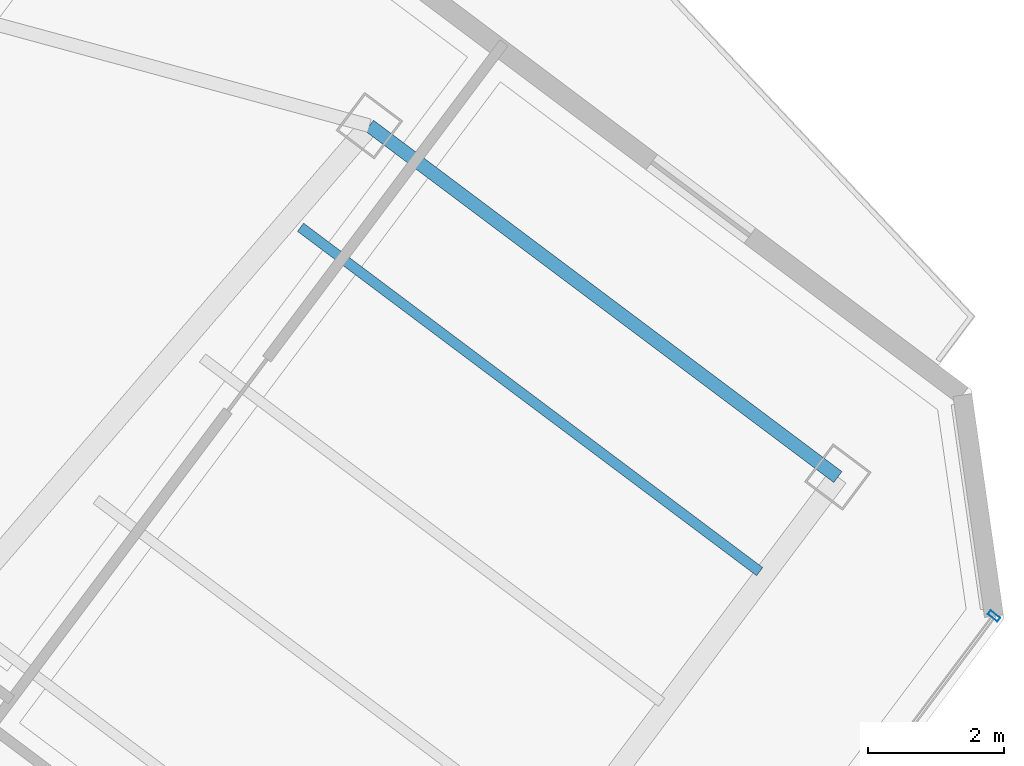
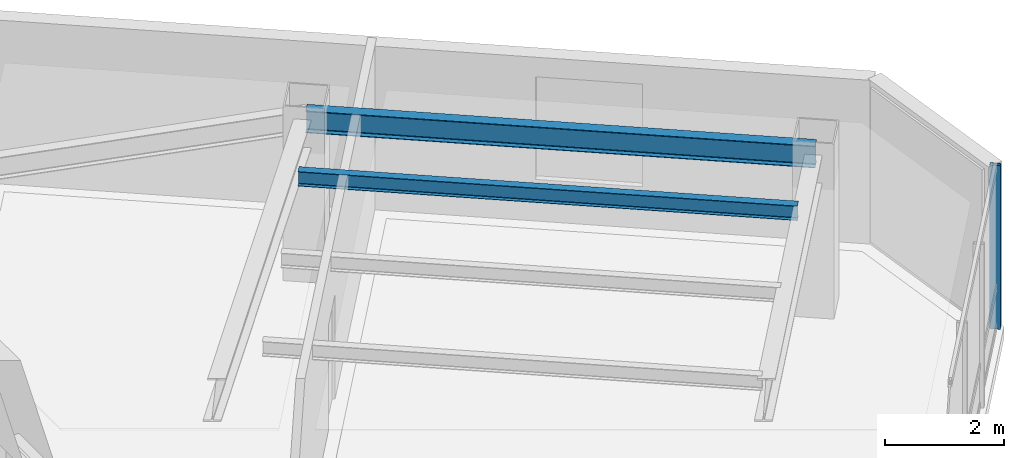
# One storey, part 14 of 25: 2 beams, 1 member, 1 element without a shape of its own.
"""IFC4 building model written with IfcOpenShell, lengths in metres."""

from ifc_helpers import new_model, si_unit, direction, frame, origin, origin_2d, place, context, subcontext, project, spatial, hollow_rectangle, i_section, extrude, material, layer, layer_set, material_profile, profile_set, type_object, element, aggregate, save


model = new_model("IFC4")

# Units and contexts
model_context = context("Model", 3, precision=1e-05, world=origin(), true_north=direction((0.0, 1.0)))
body_context = subcontext(model_context, "Body", "Model", "MODEL_VIEW")
ifc_project = project(units=[si_unit("LENGTHUNIT", "METRE"), si_unit("AREAUNIT", "SQUARE_METRE"), si_unit("VOLUMEUNIT", "CUBIC_METRE"), si_unit("PLANEANGLEUNIT", "RADIAN"), si_unit("MASSUNIT", "GRAM", prefix="KILO")], contexts=[model_context])

# Site, building, storey
site_placement = place(None, origin())
site = spatial("IfcSite", under=ifc_project, at=site_placement, CompositionType="ELEMENT")
building_placement = place(site_placement, origin())
building = spatial("IfcBuilding", under=site, at=building_placement, Name="Hatsunagi Terrace Concourse", CompositionType="ELEMENT")
storey_placement = place(building_placement, frame((0.0, 0.0, 216.75)))
storey = spatial("IfcBuildingStorey", under=building, at=storey_placement, Name="L57", CompositionType="ELEMENT", Elevation=216.75)

# Curtain wall, member
ifc_material_1 = material(Name="Anodised Aluminium Alloy 6063-T5", Category="aluminium")
ifc_layer = layer(ifc_material_1, 0.199951171875)
ifc_layer_set = layer_set([ifc_layer], Name="OfficeZone2_CW04")
curtain_wall_type = type_object("IfcCurtainWallType", Name="OfficeZone2_CW04", PredefinedType="NOTDEFINED", material=ifc_layer_set)
curtain_wall_placement = place(storey_placement, origin())
curtain_wall = element("IfcCurtainWall", 1, at=curtain_wall_placement, inside=storey, type_object=curtain_wall_type, Name="Unitised Curtain Wall CW-04 CW-L57-03", PredefinedType="NOTDEFINED")
ifc_material_2 = material(Name="Anodised Aluminium Alloy 6063-T5", Category="aluminium")
ifc_material_profile_1 = material_profile(ifc_material_2, hollow_rectangle(XDim=0.070068359375, YDim=0.179931640625, WallThickness=0.00390625, at=origin_2d()), Name="ALU-MUL-180x70x4")
ifc_profile_set_1 = profile_set([ifc_material_profile_1], Name="Anodised Aluminium Alloy 6063-T5")
member_type = type_object("IfcMemberType", Name="CurtainWallMullion_180x70", PredefinedType="MULLION", material=ifc_profile_set_1)
member_placement = place(storey_placement, frame((60.693115234375, 25.9580078125, 0.0), z_axis=(0.0, 0.0, 1.0), x_axis=(-0.599969314634, -0.800023013105, 0.0)))
member = element("IfcMember", 2, at=member_placement, type_object=member_type, Name="Curtain Wall Mullion MUL-02", PredefinedType="MULLION", context=body_context, shape_type="SweptSolid", body=[
    extrude(hollow_rectangle(XDim=0.070068359375, YDim=0.179931640625, WallThickness=0.00390625, at=origin_2d()), origin(), (0.0, 0.0, 1.0), 3.35009765625),
])
aggregate(curtain_wall, [member])

# Beams
ifc_material_3 = material(Name="Steel SN490B", Category="steel")
ifc_material_profile_2 = material_profile(ifc_material_3, i_section(OverallWidth=0.14990234375, OverallDepth=0.300048828125, WebThickness=0.006591796875, FlangeThickness=0.009033203125, FilletRadius=0.010986328125, at=origin_2d()), Name="H-300x150x6.5x9")
ifc_profile_set_2 = profile_set([ifc_material_profile_2], Name="Steel SN490B")
beam_type_1 = type_object("IfcBeamType", Name="OfficeJoist_H_300x150", PredefinedType="JOIST", material=ifc_profile_set_2)
beam_1_placement = place(storey_placement, frame((50.508056640625, 31.6689453125, 3.199951171875), z_axis=(0.800003475366, -0.59999536615, 0.0), x_axis=(0.59999536615, 0.800003475366, 0.0)))
element("IfcBeam", 3, at=beam_1_placement, inside=storey, type_object=beam_type_1, Name="Beam J-03 J-L57-SE-2-218", PredefinedType="JOIST", context=body_context, shape_type="SweptSolid", body=[
    extrude(i_section(OverallWidth=0.14990234375, OverallDepth=0.300048828125, WebThickness=0.006591796875, FlangeThickness=0.009033203125, FilletRadius=0.010986328125, at=origin_2d()), origin(), (0.0, 0.0, 1.0), 8.429931640625),
])
ifc_material_4 = material(Name="Steel SN490B", Category="steel")
ifc_material_profile_3 = material_profile(ifc_material_4, i_section(OverallWidth=0.199951171875, OverallDepth=0.449951171875, WebThickness=0.009033203125, FlangeThickness=0.013916015625, FilletRadius=0.01611328125, at=origin_2d()), Name="H-450x200x9x14")
ifc_profile_set_3 = profile_set([ifc_material_profile_3], Name="Steel SN490B")
beam_type_2 = type_object("IfcBeamType", Name="PerimeterSpandrel_H_450x200", PredefinedType="SPANDREL", material=ifc_profile_set_3)
beam_2_placement = place(storey_placement, frame((51.52001953125, 33.159912109375, 3.125), z_axis=(0.8, -0.6, 0.0), x_axis=(0.6, 0.8, 0.0)))
element("IfcBeam", 4, at=beam_2_placement, inside=storey, type_object=beam_type_2, Name="Beam SP-02 BM-L57-SE-NE2", PredefinedType="SPANDREL", context=body_context, shape_type="SweptSolid", body=[
    extrude(i_section(OverallWidth=0.199951171875, OverallDepth=0.449951171875, WebThickness=0.009033203125, FlangeThickness=0.013916015625, FilletRadius=0.01611328125, at=origin_2d()), origin(), (0.0, 0.0, 1.0), 8.599853515625),
])

save(model, "model.ifc")
